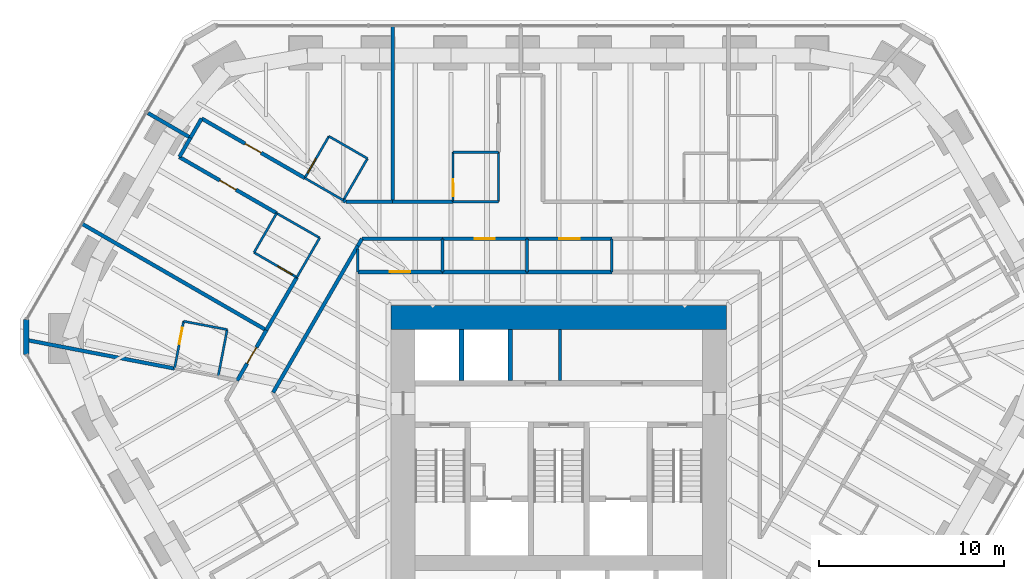
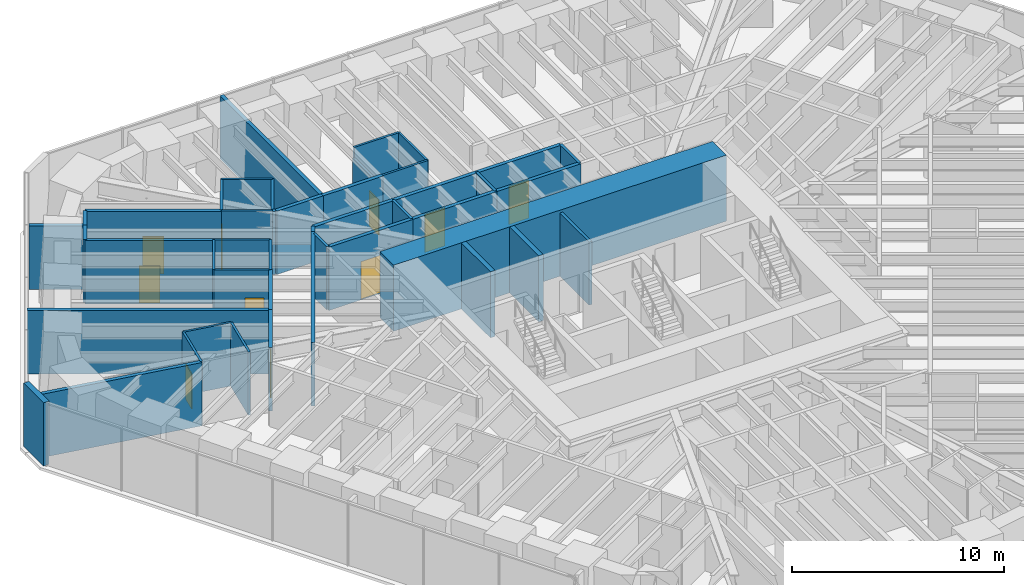
# One storey, part 14 of 18: 45 walls, 10 doors, 10 openings.
"""IFC4 building model written with IfcOpenShell, lengths in metres."""

from ifc_helpers import new_model, si_unit, direction, frame, frame_2d, origin, place, context, subcontext, project, spatial, rectangle, extrude, material, layer, layer_set, type_object, element, fill, save


model = new_model("IFC4")

# Units and contexts
model_context = context("Model", 3, precision=1e-05, world=origin(), true_north=direction((0.0, 1.0)))
body_context = subcontext(model_context, "Body", "Model", "MODEL_VIEW")
ifc_project = project(units=[si_unit("LENGTHUNIT", "METRE"), si_unit("AREAUNIT", "SQUARE_METRE"), si_unit("VOLUMEUNIT", "CUBIC_METRE"), si_unit("PLANEANGLEUNIT", "RADIAN"), si_unit("MASSUNIT", "GRAM", prefix="KILO")], contexts=[model_context])

# Site, building, storey
site_placement = place(None, origin())
site = spatial("IfcSite", under=ifc_project, at=site_placement, CompositionType="ELEMENT")
building_placement = place(site_placement, origin())
building = spatial("IfcBuilding", under=site, at=building_placement, Name="Sandreach Pilgrim Tower", CompositionType="ELEMENT")
storey_placement = place(building_placement, frame((0.0, 0.0, 153.800048828125)))
storey = spatial("IfcBuildingStorey", under=building, at=storey_placement, Name="L38", CompositionType="ELEMENT", Elevation=153.800048828125)

# Walls
ifc_material_1 = material(Name="Gypsum board on steel studs", Category="steel")
ifc_layer_1 = layer(ifc_material_1, 0.14990234375)
ifc_layer_set_1 = layer_set([ifc_layer_1], Name="Back of house wall 150")
wall_type_1 = type_object("IfcWallType", Name="Back of house wall 150", PredefinedType="PARTITIONING", material=ifc_layer_set_1)
wall_1_placement = place(storey_placement, frame((-10.840087890625, 10.449951171875, 0.0), z_axis=(0.0, 0.0, 1.0), x_axis=(0.0, -1.0, 0.0)))
element("IfcWall", 1, at=wall_1_placement, inside=storey, type_object=wall_type_1, Name="Back of house wall L38-043", PredefinedType="PARTITIONING", context=body_context, shape_type="SweptSolid", body=[
    extrude(rectangle(XDim=1.25, YDim=0.14990234375, at=frame_2d((0.625, 0.0))), origin(), (0.0, 0.0, 1.0), 3.639892578125),
])
for number, where, z_axis, x_axis, name in (
    (2, (-6.27001953125, 10.989990234375, 0.0), (0.0, 0.0, 1.0), (0.0, -1.0, 0.0), "Back of house wall L38-054"),
    (3, (-1.7099609375, 10.989990234375, 0.0), (0.0, 0.0, 1.0), (0.0, -1.0, 0.0), "Back of house wall L38-075"),
    (4, (2.860107421875, 10.989990234375, 0.0), (0.0, 0.0, 1.0), (0.0, -1.0, 0.0), "Back of house wall L38-085"),
):
    element("IfcWall", number, at=place(storey_placement, frame(where, z_axis=z_axis, x_axis=x_axis)), inside=storey, type_object=wall_type_1, Name=name, PredefinedType="PARTITIONING", context=body_context, shape_type="SweptSolid", body=[
        extrude(rectangle(XDim=1.7900390625, YDim=0.14990234375, at=frame_2d((0.89501953125, 0.0))), origin(), (0.0, 0.0, 1.0), 3.639892578125),
    ])
wall_2_placement = place(storey_placement, frame((0.0625, 3.35009765625, 0.0), z_axis=(0.0, 0.0, 1.0), x_axis=(0.0, 1.0, 0.0)))
element("IfcWall", 5, at=wall_2_placement, inside=storey, type_object=wall_type_1, Name="Core room partition L38 1", PredefinedType="PARTITIONING", context=body_context, shape_type="SweptSolid", body=[
    extrude(rectangle(XDim=2.75, YDim=0.14990234375, at=frame_2d((1.375, 0.0))), origin(), (0.0, 0.0, 1.0), 3.639892578125),
])

# Wall, opening, door
ifc_material_2 = material(Name="Moisture-resistant gypsum board on steel studs", Category="steel")
ifc_layer_2 = layer(ifc_material_2, 0.1201171875)
ifc_layer_set_2 = layer_set([ifc_layer_2], Name="Bathroom partition 120")
wall_type_2 = type_object("IfcWallType", Name="Bathroom partition 120", PredefinedType="PARTITIONING", material=ifc_layer_set_2)
wall_3_placement = place(storey_placement, frame((-20.239990234375, 6.5400390625, 0.0), z_axis=(0.0, 0.0, 1.0), x_axis=(-0.188697442844, -0.982035271802, 0.0)))
wall_3 = element("IfcWall", 6, at=wall_3_placement, inside=storey, type_object=wall_type_2, Name="Bathroom partition L38-007", PredefinedType="PARTITIONING", context=body_context, shape_type="SweptSolid", body=[
    extrude(rectangle(XDim=2.5966796875, YDim=0.1201171875, at=frame_2d((1.29833984375, 0.0))), origin(), (0.0, 0.0, 1.0), 3.639892578125),
])
opening_1_placement = place(wall_3_placement, frame((0.35009765625, 0.0, 0.0)))
opening_1 = element("IfcOpeningElement", 7, at=opening_1_placement, cuts=wall_3, Name="Opening D09-14B", PredefinedType="OPENING", context=body_context, shape_type="SweptSolid", body=[
    extrude(rectangle(XDim=0.89990234375, YDim=2.030029296875, at=frame_2d((0.449951171875, 1.01513671875))), frame((0.0, 0.06005859375, 0.0), z_axis=(0.0, -1.0, 0.0), x_axis=(1.0, 0.0, 0.0)), (0.0, 0.0, 1.0), 0.1201171875),
])
ifc_material_3 = material(Name="Timber door, steel frame", Category="steel")
door_type_1 = type_object("IfcDoorType", Name="Bathroom door", OperationType="SINGLE_SWING_LEFT", PredefinedType="DOOR", material=ifc_material_3)
door_1_placement = place(opening_1_placement, origin())
door_1 = element("IfcDoor", 8, at=door_1_placement, inside=storey, type_object=door_type_1, Name="Door 3814B", OperationType="SINGLE_SWING_LEFT", OverallHeight=2.030029296875, OverallWidth=0.89990234375, PredefinedType="DOOR", context=body_context, shape_type="SweptSolid", body=[
    extrude(rectangle(XDim=0.89990234375, YDim=2.030029296875, at=frame_2d((0.449951171875, 1.01513671875))), frame((0.0, 0.02490234375, 0.0), z_axis=(0.0, -1.0, 0.0), x_axis=(1.0, 0.0, 0.0)), (0.0, 0.0, 1.0), 0.050048828125),
])
fill(opening_1, door_1)

# Walls
wall_4_placement = place(storey_placement, frame((-18.3798828125, 3.5400390625, 0.0), z_axis=(0.0, 0.0, 1.0), x_axis=(0.188697442844, 0.982035271802, 0.0)))
element("IfcWall", 9, at=wall_4_placement, inside=storey, type_object=wall_type_2, Name="Bathroom partition L38-014", PredefinedType="PARTITIONING", context=body_context, shape_type="SweptSolid", body=[
    extrude(rectangle(XDim=2.5966796875, YDim=0.1201171875, at=frame_2d((1.29833984375, 0.0))), origin(), (0.0, 0.0, 1.0), 3.639892578125),
])
wall_5_placement = place(storey_placement, frame((-17.889892578125, 6.090087890625, 0.0), z_axis=(0.0, 0.0, 1.0), x_axis=(-0.982160404505, 0.18804504732, 0.0)))
element("IfcWall", 10, at=wall_5_placement, inside=storey, type_object=wall_type_2, Name="Bathroom partition L38-018", PredefinedType="PARTITIONING", context=body_context, shape_type="SweptSolid", body=[
    extrude(rectangle(XDim=2.392822265625, YDim=0.1201171875, at=frame_2d((1.1962890625, 0.0))), origin(), (0.0, 0.0, 1.0), 3.639892578125),
])

# Wall, opening, door
wall_6_placement = place(storey_placement, frame((-16.43994140625, 10.25, 0.0), z_axis=(0.0, 0.0, 1.0), x_axis=(0.864966903181, -0.501828911485, 0.0)))
wall_6 = element("IfcWall", 11, at=wall_6_placement, inside=storey, type_object=wall_type_2, Name="Bathroom partition L38-022", PredefinedType="PARTITIONING", context=body_context, shape_type="SweptSolid", body=[
    extrude(rectangle(XDim=2.67041015625, YDim=0.1201171875, at=frame_2d((1.335205078125, 0.0))), origin(), (0.0, 0.0, 1.0), 3.639892578125),
])
opening_2_placement = place(wall_6_placement, frame((1.470458984375, 0.0, 0.0)))
opening_2 = element("IfcOpeningElement", 12, at=opening_2_placement, cuts=wall_6, Name="Opening D09-15B", PredefinedType="OPENING", context=body_context, shape_type="SweptSolid", body=[
    extrude(rectangle(XDim=0.89990234375, YDim=2.030029296875, at=frame_2d((0.449951171875, 1.01513671875))), frame((0.0, 0.06005859375, 0.0), z_axis=(0.0, -1.0, 0.0), x_axis=(1.0, 0.0, 0.0)), (0.0, 0.0, 1.0), 0.1201171875),
])
door_2_placement = place(opening_2_placement, origin())
door_2 = element("IfcDoor", 13, at=door_2_placement, inside=storey, type_object=door_type_1, Name="Door 3815B", OperationType="SINGLE_SWING_RIGHT", OverallHeight=2.030029296875, OverallWidth=0.89990234375, PredefinedType="DOOR", context=body_context, shape_type="SweptSolid", body=[
    extrude(rectangle(XDim=0.89990234375, YDim=2.030029296875, at=frame_2d((0.449951171875, 1.01513671875))), frame((0.0, 0.02490234375, 0.0), z_axis=(0.0, -1.0, 0.0), x_axis=(1.0, 0.0, 0.0)), (0.0, 0.0, 1.0), 0.050048828125),
])
fill(opening_2, door_2)

# Walls
wall_7_placement = place(storey_placement, frame((-15.219970703125, 12.3701171875, 0.0), z_axis=(0.0, 0.0, 1.0), x_axis=(-0.498748634132, -0.866746675766, 0.0)))
element("IfcWall", 14, at=wall_7_placement, inside=storey, type_object=wall_type_2, Name="Bathroom partition L38-028", PredefinedType="PARTITIONING", context=body_context, shape_type="SweptSolid", body=[
    extrude(rectangle(XDim=2.446044921875, YDim=0.1201171875, at=frame_2d((1.22314453125, 0.0))), origin(), (0.0, 0.0, 1.0), 3.639892578125),
])
wall_8_placement = place(storey_placement, frame((-15.219970703125, 12.3701171875, 0.0), z_axis=(0.0, 0.0, 1.0), x_axis=(0.867545659855, -0.497357545501, 0.0)))
element("IfcWall", 15, at=wall_8_placement, inside=storey, type_object=wall_type_2, Name="Bathroom partition L38-029", PredefinedType="PARTITIONING", context=body_context, shape_type="SweptSolid", body=[
    extrude(rectangle(XDim=2.67431640625, YDim=0.1201171875, at=frame_2d((1.337158203125, 0.0))), origin(), (0.0, 0.0, 1.0), 3.639892578125),
])
wall_9_placement = place(storey_placement, frame((-14.1298828125, 8.909912109375, 0.0), z_axis=(0.0, 0.0, 1.0), x_axis=(0.500046071023, 0.865998803033, 0.0)))
element("IfcWall", 16, at=wall_9_placement, inside=storey, type_object=wall_type_2, Name="Bathroom partition L38-033", PredefinedType="PARTITIONING", context=body_context, shape_type="SweptSolid", body=[
    extrude(rectangle(XDim=2.459716796875, YDim=0.1201171875, at=frame_2d((1.22998046875, 0.0))), origin(), (0.0, 0.0, 1.0), 3.639892578125),
])
wall_10_placement = place(storey_placement, frame((-13.701904296875, 14.2666015625, 0.0), z_axis=(0.0, 0.0, 1.0), x_axis=(0.866089094798, -0.499889667698, 0.0)))
element("IfcWall", 17, at=wall_10_placement, inside=storey, type_object=wall_type_2, Name="Bathroom partition L38-034", PredefinedType="PARTITIONING", context=body_context, shape_type="SweptSolid", body=[
    extrude(rectangle(XDim=2.4013671875, YDim=0.1201171875, at=frame_2d((1.20068359375, 0.0))), origin(), (0.0, 0.0, 1.0), 3.639892578125),
])

# Wall, opening, door
wall_11_placement = place(storey_placement, frame((-12.39990234375, 16.52001953125, 0.0), z_axis=(0.0, 0.0, 1.0), x_axis=(-0.500291685314, -0.865856933682, 0.0)))
wall_11 = element("IfcWall", 18, at=wall_11_placement, inside=storey, type_object=wall_type_2, Name="Bathroom partition L38-037", PredefinedType="PARTITIONING", context=body_context, shape_type="SweptSolid", body=[
    extrude(rectangle(XDim=2.5986328125, YDim=0.1201171875, at=frame_2d((1.29931640625, 0.0))), origin(), (0.0, 0.0, 1.0), 3.639892578125),
])
opening_3_placement = place(wall_11_placement, frame((1.398681640625, 0.0, 0.0)))
opening_3 = element("IfcOpeningElement", 19, at=opening_3_placement, cuts=wall_11, Name="Opening D09-01B", PredefinedType="OPENING", context=body_context, shape_type="SweptSolid", body=[
    extrude(rectangle(XDim=0.89990234375, YDim=2.030029296875, at=frame_2d((0.449951171875, 1.01513671875))), frame((0.0, 0.06005859375, 0.0), z_axis=(0.0, -1.0, 0.0), x_axis=(1.0, 0.0, 0.0)), (0.0, 0.0, 1.0), 0.1201171875),
])
door_3_placement = place(opening_3_placement, origin())
door_3 = element("IfcDoor", 20, at=door_3_placement, inside=storey, type_object=door_type_1, Name="Door 3801B", OperationType="SINGLE_SWING_RIGHT", OverallHeight=2.030029296875, OverallWidth=0.89990234375, PredefinedType="DOOR", context=body_context, shape_type="SweptSolid", body=[
    extrude(rectangle(XDim=0.89990234375, YDim=2.030029296875, at=frame_2d((0.449951171875, 1.01513671875))), frame((0.0, 0.02490234375, 0.0), z_axis=(0.0, -1.0, 0.0), x_axis=(1.0, 0.0, 0.0)), (0.0, 0.0, 1.0), 0.050048828125),
])
fill(opening_3, door_3)

# Walls
wall_12_placement = place(storey_placement, frame((-11.6201171875, 13.070068359375, 0.0), z_axis=(0.0, 0.0, 1.0), x_axis=(0.500291685314, 0.865856933682, 0.0)))
element("IfcWall", 21, at=wall_12_placement, inside=storey, type_object=wall_type_2, Name="Bathroom partition L38-040", PredefinedType="PARTITIONING", context=body_context, shape_type="SweptSolid", body=[
    extrude(rectangle(XDim=2.5986328125, YDim=0.1201171875, at=frame_2d((1.29931640625, 0.0))), origin(), (0.0, 0.0, 1.0), 3.639892578125),
])
wall_13_placement = place(storey_placement, frame((-10.320068359375, 15.320068359375, 0.0), z_axis=(0.0, 0.0, 1.0), x_axis=(-0.866177122335, 0.499737123639, 0.0)))
element("IfcWall", 22, at=wall_13_placement, inside=storey, type_object=wall_type_2, Name="Bathroom partition L38-046", PredefinedType="PARTITIONING", context=body_context, shape_type="SweptSolid", body=[
    extrude(rectangle(XDim=2.401123046875, YDim=0.1201171875, at=frame_2d((1.20068359375, 0.0))), origin(), (0.0, 0.0, 1.0), 3.639892578125),
])

# Wall, opening, door
wall_14_placement = place(storey_placement, frame((-5.7099609375, 15.659912109375, 0.0), z_axis=(0.0, 0.0, 1.0), x_axis=(0.003749059241, -0.999992972253, 0.0)))
wall_14 = element("IfcWall", 23, at=wall_14_placement, inside=storey, type_object=wall_type_2, Name="Bathroom partition L38-057", PredefinedType="PARTITIONING", context=body_context, shape_type="SweptSolid", body=[
    extrude(rectangle(XDim=2.669921875, YDim=0.1201171875, at=frame_2d((1.3349609375, 0.0))), origin(), (0.0, 0.0, 1.0), 3.022705078125),
])
opening_4_placement = place(wall_14_placement, frame((1.469970703125, 0.0, 0.0)))
opening_4 = element("IfcOpeningElement", 24, at=opening_4_placement, cuts=wall_14, Name="Opening D09-02B", PredefinedType="OPENING", context=body_context, shape_type="SweptSolid", body=[
    extrude(rectangle(XDim=0.89990234375, YDim=2.030029296875, at=frame_2d((0.449951171875, 1.01513671875))), frame((0.0, 0.06005859375, 0.0), z_axis=(0.0, -1.0, 0.0), x_axis=(1.0, 0.0, 0.0)), (0.0, 0.0, 1.0), 0.1201171875),
])
door_4_placement = place(opening_4_placement, origin())
door_4 = element("IfcDoor", 25, at=door_4_placement, inside=storey, type_object=door_type_1, Name="Door 3802B", OperationType="SINGLE_SWING_RIGHT", OverallHeight=2.030029296875, OverallWidth=0.89990234375, PredefinedType="DOOR", context=body_context, shape_type="SweptSolid", body=[
    extrude(rectangle(XDim=0.89990234375, YDim=2.030029296875, at=frame_2d((0.449951171875, 1.01513671875))), frame((0.0, 0.02490234375, 0.0), z_axis=(0.0, -1.0, 0.0), x_axis=(1.0, 0.0, 0.0)), (0.0, 0.0, 1.0), 0.050048828125),
])
fill(opening_4, door_4)

# Walls
wall_15_placement = place(storey_placement, frame((-3.25, 12.989990234375, 0.0), z_axis=(0.0, 0.0, 1.0), x_axis=(-1.0, 0.0, 0.0)))
element("IfcWall", 26, at=wall_15_placement, inside=storey, type_object=wall_type_2, Name="Bathroom partition L38-066", PredefinedType="PARTITIONING", context=body_context, shape_type="SweptSolid", body=[
    extrude(rectangle(XDim=2.449951171875, YDim=0.1201171875, at=frame_2d((1.22509765625, 0.0))), origin(), (0.0, 0.0, 1.0), 3.639892578125),
])
wall_16_placement = place(storey_placement, frame((-3.25, 15.659912109375, 0.0), z_axis=(0.0, 0.0, 1.0), x_axis=(-1.0, 0.0, 0.0)))
element("IfcWall", 27, at=wall_16_placement, inside=storey, type_object=wall_type_2, Name="Bathroom partition L38-067", PredefinedType="PARTITIONING", context=body_context, shape_type="SweptSolid", body=[
    extrude(rectangle(XDim=2.4599609375, YDim=0.1201171875, at=frame_2d((1.22998046875, 0.0))), origin(), (0.0, 0.0, 1.0), 3.639892578125),
])
wall_17_placement = place(storey_placement, frame((-3.25, 15.659912109375, 0.0), z_axis=(0.0, 0.0, 1.0), x_axis=(0.0, -1.0, 0.0)))
element("IfcWall", 28, at=wall_17_placement, inside=storey, type_object=wall_type_2, Name="Bathroom partition L38-068", PredefinedType="PARTITIONING", context=body_context, shape_type="SweptSolid", body=[
    extrude(rectangle(XDim=2.669921875, YDim=0.1201171875, at=frame_2d((1.3349609375, 0.0))), origin(), (0.0, 0.0, 1.0), 3.639892578125),
])
ifc_material_4 = material(Name="Concrete 10000 psi", Category="concrete")
ifc_layer_3 = layer(ifc_material_4, 1.300048828125)
ifc_layer_set_3 = layer_set([ifc_layer_3], Name="Core wall 1300")
wall_type_3 = type_object("IfcWallType", Name="Core wall 1300", PredefinedType="SHEAR", material=ifc_layer_set_3)
wall_18_placement = place(storey_placement, frame((-9.050048828125, 6.75, 0.0), z_axis=(0.0, 0.0, 1.0), x_axis=(1.0, 0.0, 0.0)))
element("IfcWall", 29, at=wall_18_placement, inside=storey, type_object=wall_type_3, Name="Core wall N L38", PredefinedType="SHEAR", context=body_context, shape_type="SweptSolid", body=[
    extrude(rectangle(XDim=18.10009765625, YDim=1.300048828125, at=frame_2d((9.050048828125, 0.0))), origin(), (0.0, 0.0, 1.0), 3.800048828125),
])

# Wall, opening, door
ifc_material_5 = material(Name="Gypsum board on steel studs, two layers each side", Category="steel")
ifc_layer_4 = layer(ifc_material_5, 0.199951171875)
ifc_layer_set_4 = layer_set([ifc_layer_4], Name="Corridor wall 200")
wall_type_4 = type_object("IfcWallType", Name="Corridor wall 200", PredefinedType="PARTITIONING", material=ifc_layer_set_4)
wall_19_placement = place(storey_placement, frame((-20.469970703125, 15.39990234375, 0.0), z_axis=(0.0, 0.0, 1.0), x_axis=(0.866118524273, -0.499838675885, 0.0)))
wall_19 = element("IfcWall", 30, at=wall_19_placement, inside=storey, type_object=wall_type_4, Name="Corridor wall L38-004", PredefinedType="PARTITIONING", context=body_context, shape_type="SweptSolid", body=[
    extrude(rectangle(XDim=6.0615234375, YDim=0.199951171875, at=frame_2d((3.03076171875, 0.0))), origin(), (0.0, 0.0, 1.0), 3.639892578125),
])
opening_5_placement = place(wall_19_placement, frame((2.53076171875, 0.0, 0.0)))
opening_5 = element("IfcOpeningElement", 31, at=opening_5_placement, cuts=wall_19, Name="Opening D10-15", PredefinedType="OPENING", context=body_context, shape_type="SweptSolid", body=[
    extrude(rectangle(XDim=1.0, YDim=2.1298828125, at=frame_2d((0.5, 1.06494140625))), frame((0.0, 0.10009765625, 0.0), z_axis=(0.0, -1.0, 0.0), x_axis=(1.0, 0.0, 0.0)), (0.0, 0.0, 1.0), 0.199951171875),
])
ifc_material_6 = material(Name="Steel door and frame", Category="steel")
door_type_2 = type_object("IfcDoorType", Name="Guest room entry door", OperationType="SINGLE_SWING_LEFT", PredefinedType="DOOR", material=ifc_material_6)
door_5_placement = place(opening_5_placement, origin())
door_5 = element("IfcDoor", 32, at=door_5_placement, inside=storey, type_object=door_type_2, Name="Door 3815", OperationType="SINGLE_SWING_LEFT", OverallHeight=2.1298828125, OverallWidth=1.0, PredefinedType="DOOR", context=body_context, shape_type="SweptSolid", body=[
    extrude(rectangle(XDim=1.0, YDim=2.1298828125, at=frame_2d((0.5, 1.06494140625))), frame((0.0, 0.02490234375, 0.0), z_axis=(0.0, -1.0, 0.0), x_axis=(1.0, 0.0, 0.0)), (0.0, 0.0, 1.0), 0.050048828125),
])
fill(opening_5, door_5)

# Walls
for number, where, z_axis, x_axis, name in (
    (33, (-20.465087890625, 15.40869140625, 0.0), (0.0, 0.0, 1.0), (0.499888115046, 0.866089990957, 0.0), "Corridor wall L38-005"),
    (34, (-19.869873046875, 16.43994140625, 0.0), (0.0, 0.0, 1.0), (0.499734288277, 0.866178758179, 0.0), "Corridor wall L38-009"),
):
    element("IfcWall", number, at=place(storey_placement, frame(where, z_axis=z_axis, x_axis=x_axis)), inside=storey, type_object=wall_type_4, Name=name, PredefinedType="PARTITIONING", context=body_context, shape_type="SweptSolid", body=[
        extrude(rectangle(XDim=1.190673828125, YDim=0.199951171875, at=frame_2d((0.59521484375, 0.0))), origin(), (0.0, 0.0, 1.0), 3.639892578125),
    ])

# Wall, opening, door
wall_20_placement = place(storey_placement, frame((-19.27001953125, 17.47998046875, 0.0), z_axis=(0.0, 0.0, 1.0), x_axis=(0.866117929465, -0.499839706565, 0.0)))
wall_20 = element("IfcWall", 35, at=wall_20_placement, inside=storey, type_object=wall_type_4, Name="Corridor wall L38-010", PredefinedType="PARTITIONING", context=body_context, shape_type="SweptSolid", body=[
    extrude(rectangle(XDim=6.4287109375, YDim=0.199951171875, at=frame_2d((3.21435546875, 0.0))), origin(), (0.0, 0.0, 1.0), 3.639892578125),
])
opening_6_placement = place(wall_20_placement, frame((2.71435546875, 0.0, 0.0)))
opening_6 = element("IfcOpeningElement", 36, at=opening_6_placement, cuts=wall_20, Name="Opening D10-01", PredefinedType="OPENING", context=body_context, shape_type="SweptSolid", body=[
    extrude(rectangle(XDim=1.0, YDim=2.1298828125, at=frame_2d((0.5, 1.06494140625))), frame((0.0, 0.10009765625, 0.0), z_axis=(0.0, -1.0, 0.0), x_axis=(1.0, 0.0, 0.0)), (0.0, 0.0, 1.0), 0.199951171875),
])
door_6_placement = place(opening_6_placement, origin())
door_6 = element("IfcDoor", 37, at=door_6_placement, inside=storey, type_object=door_type_2, Name="Door 3801", OperationType="SINGLE_SWING_LEFT", OverallHeight=2.1298828125, OverallWidth=1.0, PredefinedType="DOOR", context=body_context, shape_type="SweptSolid", body=[
    extrude(rectangle(XDim=1.0, YDim=2.1298828125, at=frame_2d((0.5, 1.06494140625))), frame((0.0, 0.02490234375, 0.0), z_axis=(0.0, -1.0, 0.0), x_axis=(1.0, 0.0, 0.0)), (0.0, 0.0, 1.0), 0.050048828125),
])
fill(opening_6, door_6)

wall_21_placement = place(storey_placement, frame((-17.3486328125, 3.33935546875, 0.0), z_axis=(0.0, 0.0, 1.0), x_axis=(0.500803353914, 0.865561090108, 0.0)))
wall_21 = element("IfcWall", 38, at=wall_21_placement, inside=storey, type_object=wall_type_4, Name="Corridor wall L38-020", PredefinedType="PARTITIONING", context=body_context, shape_type="SweptSolid", body=[
    extrude(rectangle(XDim=3.140380859375, YDim=0.199951171875, at=frame_2d((1.5703125, 0.0))), origin(), (0.0, 0.0, 1.0), 3.639892578125),
])
opening_7_placement = place(wall_21_placement, frame((1.0703125, 0.0, 0.0)))
opening_7 = element("IfcOpeningElement", 39, at=opening_7_placement, cuts=wall_21, Name="Opening D10-14", PredefinedType="OPENING", context=body_context, shape_type="SweptSolid", body=[
    extrude(rectangle(XDim=1.0, YDim=2.1298828125, at=frame_2d((0.5, 1.06494140625))), frame((0.0, 0.10009765625, 0.0), z_axis=(0.0, -1.0, 0.0), x_axis=(1.0, 0.0, 0.0)), (0.0, 0.0, 1.0), 0.199951171875),
])
door_7_placement = place(opening_7_placement, origin())
door_7 = element("IfcDoor", 40, at=door_7_placement, inside=storey, type_object=door_type_2, Name="Door 3814", OperationType="SINGLE_SWING_LEFT", OverallHeight=2.1298828125, OverallWidth=1.0, PredefinedType="DOOR", context=body_context, shape_type="SweptSolid", body=[
    extrude(rectangle(XDim=1.0, YDim=2.1298828125, at=frame_2d((0.5, 1.06494140625))), frame((0.0, 0.02490234375, 0.0), z_axis=(0.0, -1.0, 0.0), x_axis=(1.0, 0.0, 0.0)), (0.0, 0.0, 1.0), 0.050048828125),
])
fill(opening_7, door_7)

# Walls
wall_22_placement = place(storey_placement, frame((-15.780029296875, 6.06005859375, 0.0), z_axis=(0.0, 0.0, 1.0), x_axis=(0.501088872721, 0.865395829453, 0.0)))
element("IfcWall", 41, at=wall_22_placement, inside=storey, type_object=wall_type_4, Name="Corridor wall L38-024", PredefinedType="PARTITIONING", context=body_context, shape_type="SweptSolid", body=[
    extrude(rectangle(XDim=3.293212890625, YDim=0.199951171875, at=frame_2d((1.646484375, 0.0))), origin(), (0.0, 0.0, 1.0), 3.639892578125),
])
wall_23_placement = place(storey_placement, frame((-15.409912109375, 2.699951171875, 0.0), z_axis=(0.0, 0.0, 1.0), x_axis=(0.500237524763, 0.865888225361, 0.0)))
element("IfcWall", 42, at=wall_23_placement, inside=storey, type_object=wall_type_4, Name="Corridor wall L38-025", PredefinedType="PARTITIONING", context=body_context, shape_type="SweptSolid", body=[
    extrude(rectangle(XDim=9.13525390625, YDim=0.199951171875, at=frame_2d((4.567626953125, 0.0))), origin(), (0.0, 0.0, 1.0), 3.639892578125),
])
wall_24_placement = place(storey_placement, frame((-11.6220703125, 13.066162109375, 0.0), z_axis=(0.0, 0.0, 1.0), x_axis=(0.866265547609, -0.499583827826, 0.0)))
element("IfcWall", 43, at=wall_24_placement, inside=storey, type_object=wall_type_4, Name="Corridor wall L38-039", PredefinedType="PARTITIONING", context=body_context, shape_type="SweptSolid", body=[
    extrude(rectangle(XDim=0.152587890625, YDim=0.199951171875, at=frame_2d((0.076171875, 0.0))), origin(), (0.0, 0.0, 1.0), 3.639892578125),
])
wall_25_placement = place(storey_placement, frame((-10.840087890625, 10.610107421875, 0.0), z_axis=(0.0, 0.0, 1.0), x_axis=(0.501518373175, 0.865146994081, 0.0)))
element("IfcWall", 44, at=wall_25_placement, inside=storey, type_object=wall_type_4, Name="Corridor wall L38-044", PredefinedType="PARTITIONING", context=body_context, shape_type="SweptSolid", body=[
    extrude(rectangle(XDim=0.439208984375, YDim=0.199951171875, at=frame_2d((0.2197265625, 0.0))), origin(), (0.0, 0.0, 1.0), 3.639892578125),
])
wall_26_placement = place(storey_placement, frame((-10.6201171875, 10.989990234375, 0.0), z_axis=(0.0, 0.0, 1.0), x_axis=(1.0, 0.0, 0.0)))
element("IfcWall", 45, at=wall_26_placement, inside=storey, type_object=wall_type_4, Name="Corridor wall L38-045", PredefinedType="PARTITIONING", context=body_context, shape_type="SweptSolid", body=[
    extrude(rectangle(XDim=4.35009765625, YDim=0.199951171875, at=frame_2d((2.175048828125, 0.0))), origin(), (0.0, 0.0, 1.0), 3.639892578125),
])
wall_27_placement = place(storey_placement, frame((-8.9599609375, 12.989990234375, 0.0), z_axis=(0.0, 0.0, 1.0), x_axis=(-1.0, 0.0, 0.0)))
element("IfcWall", 46, at=wall_27_placement, inside=storey, type_object=wall_type_4, Name="Corridor wall L38-049", PredefinedType="PARTITIONING", context=body_context, shape_type="SweptSolid", body=[
    extrude(rectangle(XDim=2.530029296875, YDim=0.199951171875, at=frame_2d((1.26513671875, 0.0))), origin(), (0.0, 0.0, 1.0), 3.639892578125),
])

# Wall, opening, door
wall_28_placement = place(storey_placement, frame((-6.27001953125, 9.199951171875, 0.0), z_axis=(0.0, 0.0, 1.0), x_axis=(-1.0, 0.0, 0.0)))
wall_28 = element("IfcWall", 47, at=wall_28_placement, inside=storey, type_object=wall_type_4, Name="Corridor wall L38-053", PredefinedType="PARTITIONING", context=body_context, shape_type="SweptSolid", body=[
    extrude(rectangle(XDim=4.570068359375, YDim=0.199951171875, at=frame_2d((2.28515625, 0.0))), origin(), (0.0, 0.0, 1.0), 3.639892578125),
])
opening_8_placement = place(wall_28_placement, frame((1.735107421875, 0.0, 0.0)))
opening_8 = element("IfcOpeningElement", 48, at=opening_8_placement, cuts=wall_28, Name="Opening D11H-M02", PredefinedType="OPENING", context=body_context, shape_type="SweptSolid", body=[
    extrude(rectangle(XDim=1.10009765625, YDim=2.199951171875, at=frame_2d((0.550048828125, 1.10009765625))), frame((0.0, 0.10009765625, 0.0), z_axis=(0.0, -1.0, 0.0), x_axis=(1.0, 0.0, 0.0)), (0.0, 0.0, 1.0), 0.199951171875),
])
ifc_material_7 = material(Name="Steel door and frame", Category="steel")
door_type_3 = type_object("IfcDoorType", Name="Back of house door", OperationType="SINGLE_SWING_LEFT", PredefinedType="DOOR", material=ifc_material_7)
door_8_placement = place(opening_8_placement, origin())
door_8 = element("IfcDoor", 49, at=door_8_placement, inside=storey, type_object=door_type_3, Name="Door 38M02", OperationType="SINGLE_SWING_LEFT", OverallHeight=2.199951171875, OverallWidth=1.10009765625, PredefinedType="DOOR", context=body_context, shape_type="SweptSolid", body=[
    extrude(rectangle(XDim=1.10009765625, YDim=2.199951171875, at=frame_2d((0.550048828125, 1.10009765625))), frame((0.0, 0.02490234375, 0.0), z_axis=(0.0, -1.0, 0.0), x_axis=(1.0, 0.0, 0.0)), (0.0, 0.0, 1.0), 0.050048828125),
])
fill(opening_8, door_8)

wall_29_placement = place(storey_placement, frame((-6.27001953125, 10.989990234375, 0.0), z_axis=(0.0, 0.0, 1.0), x_axis=(1.0, 0.0, 0.0)))
wall_29 = element("IfcWall", 50, at=wall_29_placement, inside=storey, type_object=wall_type_4, Name="Corridor wall L38-055", PredefinedType="PARTITIONING", context=body_context, shape_type="SweptSolid", body=[
    extrude(rectangle(XDim=4.56005859375, YDim=0.199951171875, at=frame_2d((2.280029296875, 0.0))), origin(), (0.0, 0.0, 1.0), 3.639892578125),
])
opening_9_placement = place(wall_29_placement, frame((1.72998046875, 0.0, 0.0)))
opening_9 = element("IfcOpeningElement", 51, at=opening_9_placement, cuts=wall_29, Name="Opening D11H-M03", PredefinedType="OPENING", context=body_context, shape_type="SweptSolid", body=[
    extrude(rectangle(XDim=1.10009765625, YDim=2.199951171875, at=frame_2d((0.550048828125, 1.10009765625))), frame((0.0, 0.10009765625, 0.0), z_axis=(0.0, -1.0, 0.0), x_axis=(1.0, 0.0, 0.0)), (0.0, 0.0, 1.0), 0.199951171875),
])
door_9_placement = place(opening_9_placement, origin())
door_9 = element("IfcDoor", 52, at=door_9_placement, inside=storey, type_object=door_type_3, Name="Door 38M03", OperationType="SINGLE_SWING_LEFT", OverallHeight=2.199951171875, OverallWidth=1.10009765625, PredefinedType="DOOR", context=body_context, shape_type="SweptSolid", body=[
    extrude(rectangle(XDim=1.10009765625, YDim=2.199951171875, at=frame_2d((0.550048828125, 1.10009765625))), frame((0.0, 0.02490234375, 0.0), z_axis=(0.0, -1.0, 0.0), x_axis=(1.0, 0.0, 0.0)), (0.0, 0.0, 1.0), 0.050048828125),
])
fill(opening_9, door_9)

# Walls
wall_30_placement = place(storey_placement, frame((-5.699951171875, 12.989990234375, 0.0), z_axis=(0.0, 0.0, 1.0), x_axis=(-1.0, 0.0, 0.0)))
element("IfcWall", 53, at=wall_30_placement, inside=storey, type_object=wall_type_4, Name="Corridor wall L38-058", PredefinedType="PARTITIONING", context=body_context, shape_type="SweptSolid", body=[
    extrude(rectangle(XDim=3.260009765625, YDim=0.199951171875, at=frame_2d((1.6298828125, 0.0))), origin(), (0.0, 0.0, 1.0), 3.639892578125),
])
wall_31_placement = place(storey_placement, frame((-1.7099609375, 9.199951171875, 0.0), z_axis=(0.0, 0.0, 1.0), x_axis=(-1.0, 0.0, 0.0)))
element("IfcWall", 54, at=wall_31_placement, inside=storey, type_object=wall_type_4, Name="Corridor wall L38-074", PredefinedType="PARTITIONING", context=body_context, shape_type="SweptSolid", body=[
    extrude(rectangle(XDim=4.56005859375, YDim=0.199951171875, at=frame_2d((2.280029296875, 0.0))), origin(), (0.0, 0.0, 1.0), 3.639892578125),
])

# Wall, opening, door
wall_32_placement = place(storey_placement, frame((-1.7099609375, 10.989990234375, 0.0), z_axis=(0.0, 0.0, 1.0), x_axis=(1.0, 0.0, 0.0)))
wall_32 = element("IfcWall", 55, at=wall_32_placement, inside=storey, type_object=wall_type_4, Name="Corridor wall L38-076", PredefinedType="PARTITIONING", context=body_context, shape_type="SweptSolid", body=[
    extrude(rectangle(XDim=4.570068359375, YDim=0.199951171875, at=frame_2d((2.28515625, 0.0))), origin(), (0.0, 0.0, 1.0), 3.639892578125),
])
opening_10_placement = place(wall_32_placement, frame((1.735107421875, 0.0, 0.0)))
opening_10 = element("IfcOpeningElement", 56, at=opening_10_placement, cuts=wall_32, Name="Opening D11H-M04", PredefinedType="OPENING", context=body_context, shape_type="SweptSolid", body=[
    extrude(rectangle(XDim=1.10009765625, YDim=2.199951171875, at=frame_2d((0.550048828125, 1.10009765625))), frame((0.0, 0.10009765625, 0.0), z_axis=(0.0, -1.0, 0.0), x_axis=(1.0, 0.0, 0.0)), (0.0, 0.0, 1.0), 0.199951171875),
])
door_10_placement = place(opening_10_placement, origin())
door_10 = element("IfcDoor", 57, at=door_10_placement, inside=storey, type_object=door_type_3, Name="Door 38M04", OperationType="SINGLE_SWING_LEFT", OverallHeight=2.199951171875, OverallWidth=1.10009765625, PredefinedType="DOOR", context=body_context, shape_type="SweptSolid", body=[
    extrude(rectangle(XDim=1.10009765625, YDim=2.199951171875, at=frame_2d((0.550048828125, 1.10009765625))), frame((0.0, 0.02490234375, 0.0), z_axis=(0.0, -1.0, 0.0), x_axis=(1.0, 0.0, 0.0)), (0.0, 0.0, 1.0), 0.050048828125),
])
fill(opening_10, door_10)

# Walls
wall_33_placement = place(storey_placement, frame((2.860107421875, 9.199951171875, 0.0), z_axis=(0.0, 0.0, 1.0), x_axis=(-1.0, 0.0, 0.0)))
element("IfcWall", 58, at=wall_33_placement, inside=storey, type_object=wall_type_4, Name="Corridor wall L38-084", PredefinedType="PARTITIONING", context=body_context, shape_type="SweptSolid", body=[
    extrude(rectangle(XDim=4.570068359375, YDim=0.199951171875, at=frame_2d((2.28515625, 0.0))), origin(), (0.0, 0.0, 1.0), 3.639892578125),
])
ifc_material_8 = material(Name="Double steel stud acoustic wall, gypsum board", Category="steel")
ifc_layer_5 = layer(ifc_material_8, 0.199951171875)
ifc_layer_set_5 = layer_set([ifc_layer_5], Name="Party wall 200")
wall_type_5 = type_object("IfcWallType", Name="Party wall 200", PredefinedType="PARTITIONING", material=ifc_layer_set_5)
wall_34_placement = place(storey_placement, frame((-28.740478515625, 5.534423828125, 0.0), z_axis=(0.0, 0.0, 1.0), x_axis=(0.981916471091, -0.189314668743, 0.0)))
element("IfcWall", 59, at=wall_34_placement, inside=storey, type_object=wall_type_5, Name="Party wall L38-001", PredefinedType="PARTITIONING", context=body_context, shape_type="SweptSolid", body=[
    extrude(rectangle(XDim=8.157958984375, YDim=0.199951171875, at=frame_2d((4.0791015625, 0.0))), origin(), (0.0, 0.0, 1.0), 3.639892578125),
])
wall_35_placement = place(storey_placement, frame((-25.714111328125, 11.794921875, 0.0), z_axis=(0.0, 0.0, 1.0), x_axis=(0.866045467449, -0.499965247104, 0.0)))
element("IfcWall", 60, at=wall_35_placement, inside=storey, type_object=wall_type_5, Name="Party wall L38-002", PredefinedType="PARTITIONING", context=body_context, shape_type="SweptSolid", body=[
    extrude(rectangle(XDim=11.460693359375, YDim=0.199951171875, at=frame_2d((5.73046875, 0.0))), origin(), (0.0, 0.0, 1.0), 3.639892578125),
])
wall_36_placement = place(storey_placement, frame((-19.883056640625, 16.447509765625, 0.0), z_axis=(0.0, 0.0, 1.0), x_axis=(-0.864401159669, 0.50280277959, 0.0)))
element("IfcWall", 61, at=wall_36_placement, inside=storey, type_object=wall_type_5, Name="Party wall L38-008", PredefinedType="PARTITIONING", context=body_context, shape_type="SweptSolid", body=[
    extrude(rectangle(XDim=2.6298828125, YDim=0.199951171875, at=frame_2d((1.31494140625, 0.0))), origin(), (0.0, 0.0, 1.0), 3.639892578125),
])
wall_37_placement = place(storey_placement, frame((-8.9599609375, 22.4599609375, 0.0), z_axis=(0.0, 0.0, 1.0), x_axis=(0.0, -1.0, 0.0)))
element("IfcWall", 62, at=wall_37_placement, inside=storey, type_object=wall_type_5, Name="Party wall L38-050", PredefinedType="PARTITIONING", context=body_context, shape_type="SweptSolid", body=[
    extrude(rectangle(XDim=9.455078125, YDim=0.199951171875, at=frame_2d((4.7275390625, 0.0))), origin(), (0.0, 0.0, 1.0), 3.639892578125),
])
ifc_material_9 = material(Name="Gypsum shaft wall on steel studs, two layers of shaft liner board", Category="steel")
ifc_layer_6 = layer(ifc_material_9, 0.25)
ifc_layer_set_6 = layer_set([ifc_layer_6], Name="Shaft partition 250")
wall_type_6 = type_object("IfcWallType", Name="Shaft partition 250", PredefinedType="PARTITIONING", material=ifc_layer_set_6)
for number, where, z_axis, x_axis, name in (
    (63, (-5.25, 3.35009765625, 0.0), (0.0, 0.0, 1.0), (0.0, 1.0, 0.0), "Shaft partition NS0 L38"),
    (64, (-2.625, 3.35009765625, 0.0), (0.0, 0.0, 1.0), (0.0, 1.0, 0.0), "Shaft partition NS1 L38"),
):
    element("IfcWall", number, at=place(storey_placement, frame(where, z_axis=z_axis, x_axis=x_axis)), inside=storey, type_object=wall_type_6, Name=name, PredefinedType="PARTITIONING", context=body_context, shape_type="SweptSolid", body=[
        extrude(rectangle(XDim=2.75, YDim=0.25, at=frame_2d((1.375, 0.0))), origin(), (0.0, 0.0, 1.0), 3.800048828125),
    ])
ifc_material_10 = material(Name="Terracotta rainscreen on concrete", Category="masonry")
ifc_layer_7 = layer(ifc_material_10, 0.300048828125)
ifc_layer_set_7 = layer_set([ifc_layer_7], Name="Terracotta chamfer pier")
wall_type_7 = type_object("IfcWallType", Name="Terracotta chamfer pier", PredefinedType="SOLIDWALL", material=ifc_layer_set_7)
wall_38_placement = place(storey_placement, frame((-28.720947265625, 4.758544921875, 0.0), z_axis=(0.0, 0.0, 1.0), x_axis=(0.0, 1.0, 0.0)))
element("IfcWall", 65, at=wall_38_placement, inside=storey, type_object=wall_type_7, Name="Chamfer pier L38 SW", PredefinedType="SOLIDWALL", context=body_context, shape_type="SweptSolid", body=[
    extrude(rectangle(XDim=1.8798828125, YDim=0.300048828125, at=frame_2d((0.93994140625, 0.0))), origin(), (0.0, 0.0, 1.0), 3.639892578125),
])

save(model, "model.ifc")
